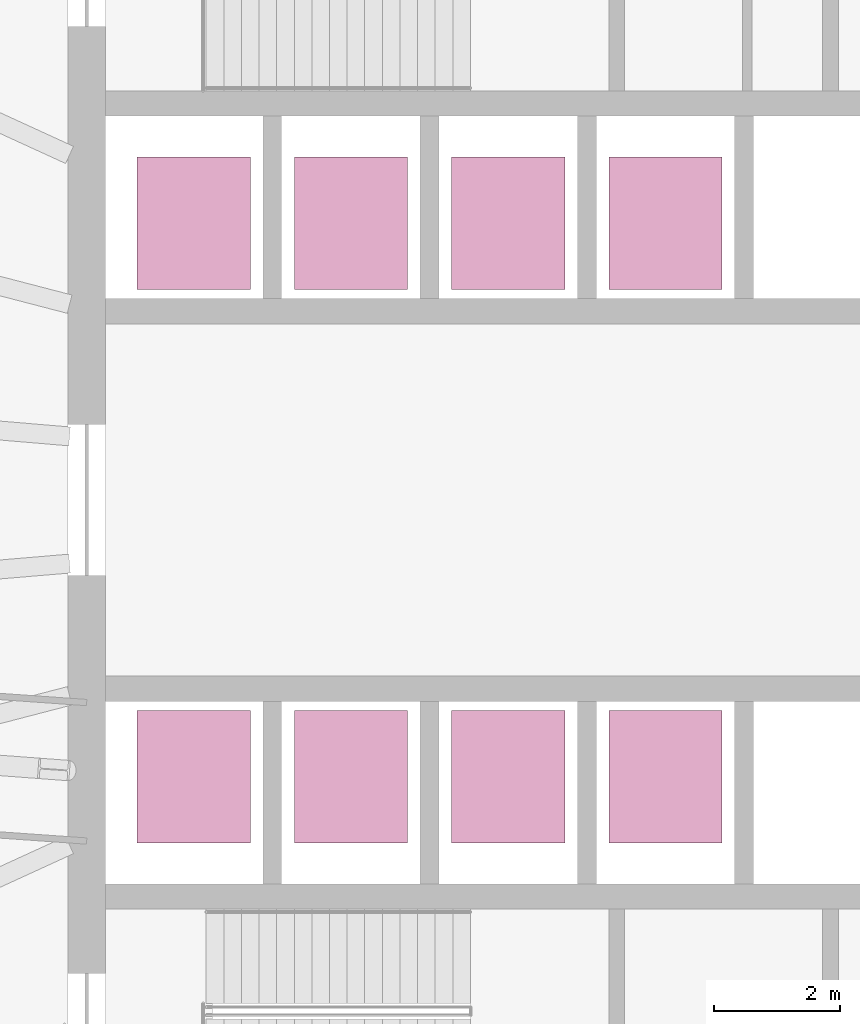
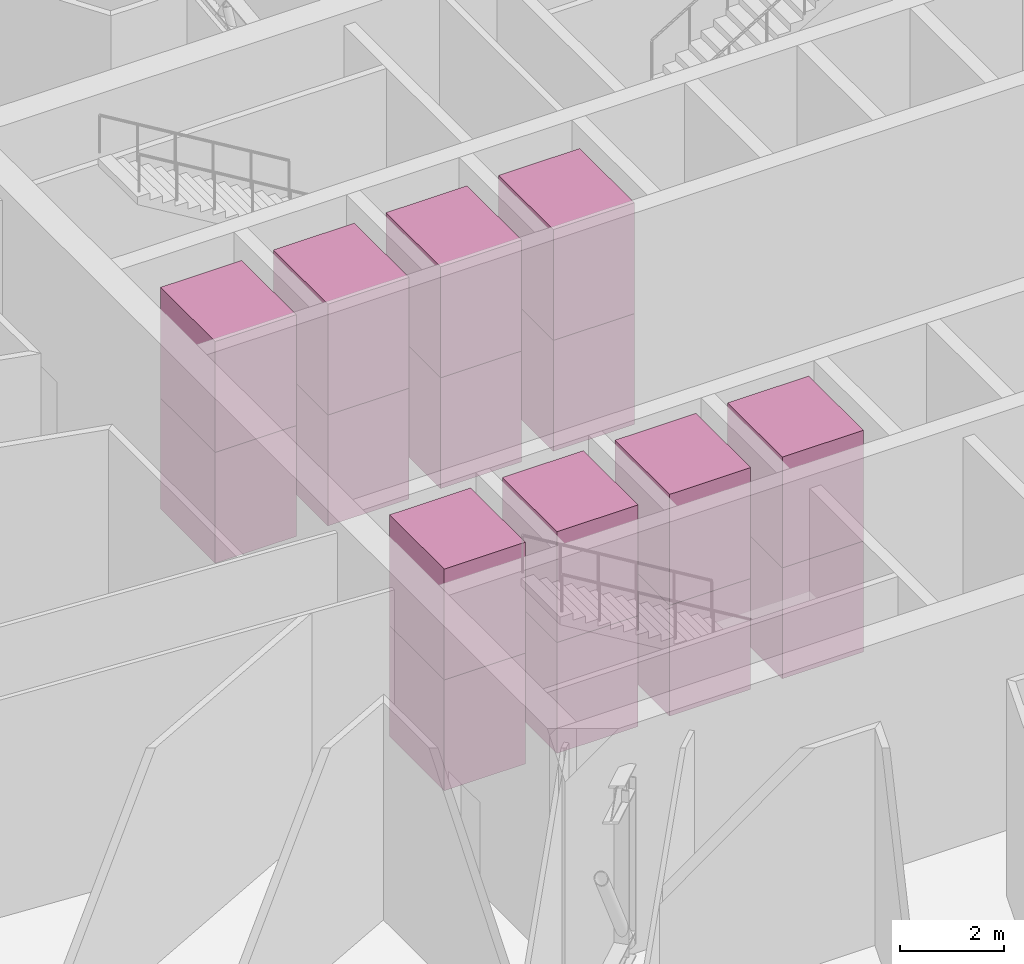
# One storey, part 21 of 21: 16 transport elements.
"""IFC4 building model written with IfcOpenShell, lengths in metres."""

from ifc_helpers import new_model, si_unit, direction, frame, origin, origin_2d, place, context, subcontext, project, spatial, rectangle, extrude, material, type_object, element, save


model = new_model("IFC4")

# Units and contexts
model_context = context("Model", 3, precision=1e-05, world=origin(), true_north=direction((0.0, 1.0)))
body_context = subcontext(model_context, "Body", "Model", "MODEL_VIEW")
ifc_project = project(units=[si_unit("LENGTHUNIT", "METRE"), si_unit("AREAUNIT", "SQUARE_METRE"), si_unit("VOLUMEUNIT", "CUBIC_METRE"), si_unit("PLANEANGLEUNIT", "RADIAN"), si_unit("MASSUNIT", "GRAM", prefix="KILO")], contexts=[model_context])

# Site, building, storey
site_placement = place(None, origin())
site = spatial("IfcSite", under=ifc_project, at=site_placement, CompositionType="ELEMENT")
building_placement = place(site_placement, origin())
building = spatial("IfcBuilding", under=site, at=building_placement, Name="Halqa Exchange Tower", CompositionType="ELEMENT")
storey_placement = place(building_placement, frame((0.0, 0.0, 173.5)))
storey = spatial("IfcBuildingStorey", under=building, at=storey_placement, Name="L39", CompositionType="ELEMENT", Elevation=173.5)

# Transport elements
ifc_material = material(Name="Stainless steel", Category="steel")
transport_element_type_1 = type_object("IfcTransportElementType", Name="High-rise passenger lift 1800 x 2100", PredefinedType="ELEVATOR", material=ifc_material)
for number, where, z_axis, x_axis, name in (
    (1, (-10.0, 4.39990234375, 0.0), (0.0, 0.0, 1.0), (1.0, 0.0, 0.0), "High-rise passenger lift HR1"),
    (2, (-10.0, 4.39990234375, 2.599853515625), (0.0, 0.0, 1.0), (1.0, 0.0, 0.0), "High-rise passenger lift HR1"),
    (3, (-7.5, 4.39990234375, 0.0), (0.0, 0.0, 1.0), (1.0, 0.0, 0.0), "High-rise passenger lift HR2"),
    (4, (-7.5, 4.39990234375, 2.599853515625), (0.0, 0.0, 1.0), (1.0, 0.0, 0.0), "High-rise passenger lift HR2"),
    (5, (-10.0, -4.39990234375, 0.0), (0.0, 0.0, 1.0), (1.0, 0.0, 0.0), "High-rise passenger lift HR3"),
    (6, (-10.0, -4.39990234375, 2.599853515625), (0.0, 0.0, 1.0), (1.0, 0.0, 0.0), "High-rise passenger lift HR3"),
    (7, (-7.5, -4.39990234375, 0.0), (0.0, 0.0, 1.0), (1.0, 0.0, 0.0), "High-rise passenger lift HR4"),
    (8, (-7.5, -4.39990234375, 2.599853515625), (0.0, 0.0, 1.0), (1.0, 0.0, 0.0), "High-rise passenger lift HR4"),
):
    element("IfcTransportElement", number, at=place(storey_placement, frame(where, z_axis=z_axis, x_axis=x_axis)), inside=storey, type_object=transport_element_type_1, Name=name, PredefinedType="ELEVATOR", context=body_context, shape_type="SweptSolid", body=[
        extrude(rectangle(XDim=1.800048828125, YDim=2.10009765625, at=origin_2d()), origin(), (0.0, 0.0, 1.0), 2.60009765625),
    ])
transport_element_type_2 = type_object("IfcTransportElementType", Name="Mid-rise passenger lift 1800 x 2100", PredefinedType="ELEVATOR", material=ifc_material)
for number, where, z_axis, x_axis, name in (
    (9, (-5.0, 4.39990234375, 0.0), (0.0, 0.0, 1.0), (1.0, 0.0, 0.0), "Mid-rise passenger lift MR1"),
    (10, (-5.0, 4.39990234375, 2.599853515625), (0.0, 0.0, 1.0), (1.0, 0.0, 0.0), "Mid-rise passenger lift MR1"),
    (11, (-2.5, 4.39990234375, 0.0), (0.0, 0.0, 1.0), (1.0, 0.0, 0.0), "Mid-rise passenger lift MR2"),
    (12, (-2.5, 4.39990234375, 2.599853515625), (0.0, 0.0, 1.0), (1.0, 0.0, 0.0), "Mid-rise passenger lift MR2"),
    (13, (-5.0, -4.39990234375, 0.0), (0.0, 0.0, 1.0), (1.0, 0.0, 0.0), "Mid-rise passenger lift MR3"),
    (14, (-5.0, -4.39990234375, 2.599853515625), (0.0, 0.0, 1.0), (1.0, 0.0, 0.0), "Mid-rise passenger lift MR3"),
    (15, (-2.5, -4.39990234375, 0.0), (0.0, 0.0, 1.0), (1.0, 0.0, 0.0), "Mid-rise passenger lift MR4"),
    (16, (-2.5, -4.39990234375, 2.599853515625), (0.0, 0.0, 1.0), (1.0, 0.0, 0.0), "Mid-rise passenger lift MR4"),
):
    element("IfcTransportElement", number, at=place(storey_placement, frame(where, z_axis=z_axis, x_axis=x_axis)), inside=storey, type_object=transport_element_type_2, Name=name, PredefinedType="ELEVATOR", context=body_context, shape_type="SweptSolid", body=[
        extrude(rectangle(XDim=1.800048828125, YDim=2.10009765625, at=origin_2d()), origin(), (0.0, 0.0, 1.0), 2.60009765625),
    ])

save(model, "model.ifc")
